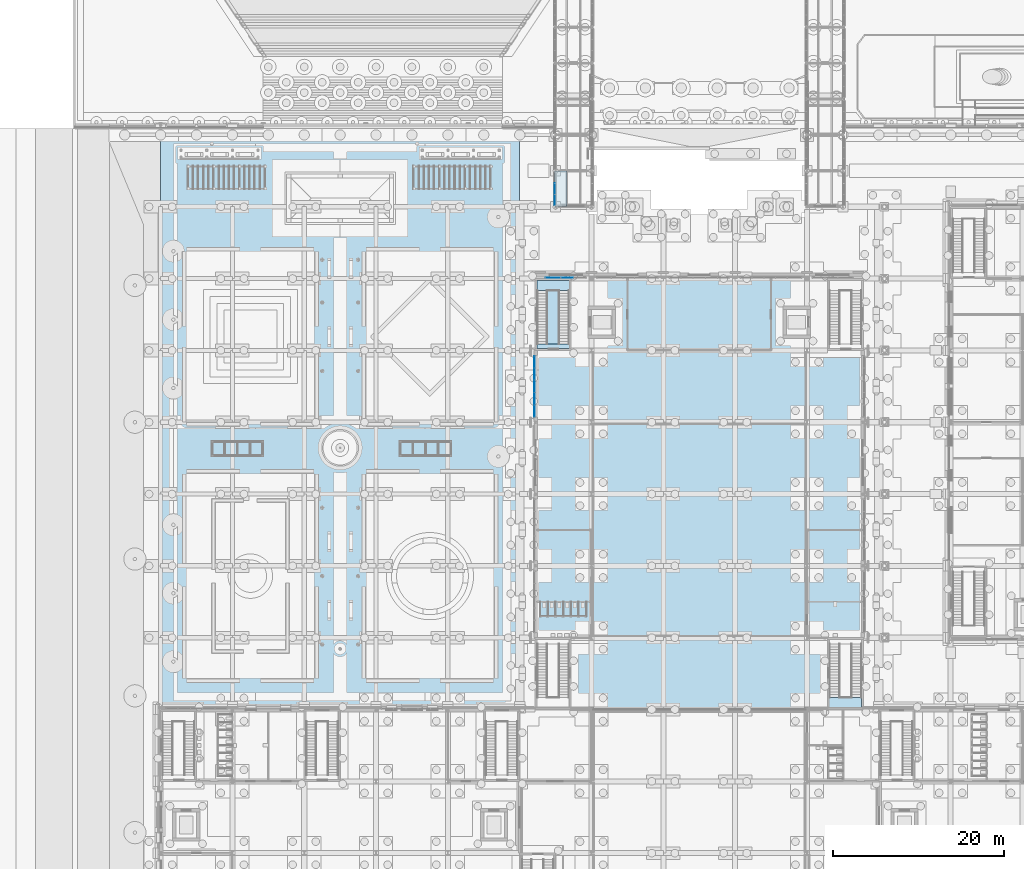
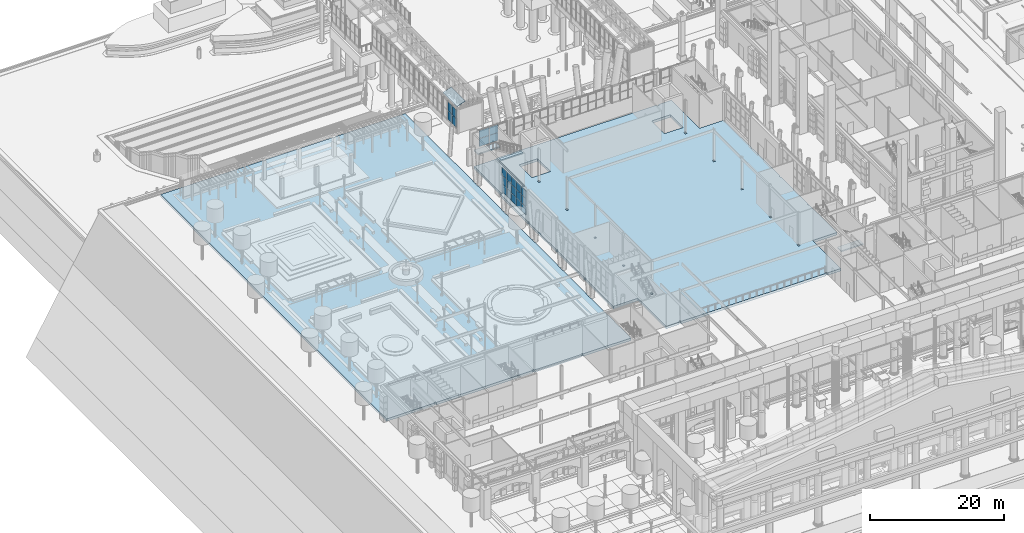
# One storey, part 78 of 222: 23 plates, 7 slabs, 6 elements without a shape of their own.
"""IFC4 building model written with IfcOpenShell, lengths in metres."""

from ifc_helpers import new_model, si_unit, direction, frame, origin, origin_2d, place, context, subcontext, project, spatial, polyline, rectangle, outline, extrude, material, layer, layer_set, type_object, element, aggregate, save


model = new_model("IFC4")

# Units and contexts
model_context = context("Model", 3, precision=1e-05, world=origin(), true_north=direction((0.0, 1.0)))
body_context = subcontext(model_context, "Body", "Model", "MODEL_VIEW")
ifc_project = project(units=[si_unit("LENGTHUNIT", "METRE"), si_unit("AREAUNIT", "SQUARE_METRE"), si_unit("VOLUMEUNIT", "CUBIC_METRE"), si_unit("PLANEANGLEUNIT", "RADIAN"), si_unit("MASSUNIT", "GRAM", prefix="KILO")], contexts=[model_context])

# Site, building, storey
site_placement = place(None, origin())
site = spatial("IfcSite", under=ifc_project, at=site_placement, CompositionType="ELEMENT")
building_placement = place(site_placement, origin())
building = spatial("IfcBuilding", under=site, at=building_placement, Name="Sava Quay Ferry Terminal", CompositionType="ELEMENT")
storey_placement = place(building_placement, origin())
storey = spatial("IfcBuildingStorey", under=building, at=storey_placement, Name="L00", CompositionType="ELEMENT", Elevation=0.0)

# Curtain wall, plates
ifc_material_1 = material(Name="Aluminium and glass curtain wall, double glazed", Category="aluminium")
curtain_wall_type_1 = type_object("IfcCurtainWallType", Name="Curtain wall CW-B gallery", PredefinedType="NOTDEFINED", material=ifc_material_1)
curtain_wall_1_placement = place(storey_placement, origin())
curtain_wall_1 = element("IfcCurtainWall", 1, at=curtain_wall_1_placement, inside=storey, type_object=curtain_wall_type_1, Name="Curtain wall B1-W L00 bay 1", PredefinedType="NOTDEFINED")
ifc_material_2 = material(Name="Laminated glass, double glazed unit", Category="glass")
ifc_layer_1 = layer(ifc_material_2, 0.02392578125)
ifc_layer_set_1 = layer_set([ifc_layer_1], Name="Laminated glass, double glazed unit")
plate_type_1 = type_object("IfcPlateType", Name="Glass panel 24 double", PredefinedType="CURTAIN_PANEL", material=ifc_layer_set_1)
plate_1_placement = place(storey_placement, frame((46.10009765625, 110.012451171875, 0.9501953125), z_axis=(0.0, 0.0, 1.0), x_axis=(0.0, 1.0, 0.0)))
plate_1 = element("IfcPlate", 2, at=plate_1_placement, type_object=plate_type_1, Name="CW13 panel 1.1", PredefinedType="CURTAIN_PANEL", context=body_context, shape_type="SweptSolid", body=[
    extrude(rectangle(XDim=1.22509765625, YDim=0.02392578125, at=origin_2d()), origin(), (0.0, 0.0, 1.0), 1.574951171875),
])
plate_2_placement = place(storey_placement, frame((46.10009765625, 110.012451171875, 2.5751953125), z_axis=(0.0, 0.0, 1.0), x_axis=(0.0, 1.0, 0.0)))
plate_2 = element("IfcPlate", 3, at=plate_2_placement, type_object=plate_type_1, Name="CW13 panel 1.2", PredefinedType="CURTAIN_PANEL", context=body_context, shape_type="SweptSolid", body=[
    extrude(rectangle(XDim=1.22509765625, YDim=0.02392578125, at=origin_2d()), origin(), (0.0, 0.0, 1.0), 1.574951171875),
])
plate_3_placement = place(storey_placement, frame((46.10009765625, 111.300048828125, 0.9501953125), z_axis=(0.0, 0.0, 1.0), x_axis=(0.0, 1.0, 0.0)))
plate_3 = element("IfcPlate", 4, at=plate_3_placement, type_object=plate_type_1, Name="CW13 panel 2.1", PredefinedType="CURTAIN_PANEL", context=body_context, shape_type="SweptSolid", body=[
    extrude(rectangle(XDim=1.25, YDim=0.02392578125, at=origin_2d()), origin(), (0.0, 0.0, 1.0), 1.574951171875),
])
plate_4_placement = place(storey_placement, frame((46.10009765625, 111.300048828125, 2.5751953125), z_axis=(0.0, 0.0, 1.0), x_axis=(0.0, 1.0, 0.0)))
plate_4 = element("IfcPlate", 5, at=plate_4_placement, type_object=plate_type_1, Name="CW13 panel 2.2", PredefinedType="CURTAIN_PANEL", context=body_context, shape_type="SweptSolid", body=[
    extrude(rectangle(XDim=1.25, YDim=0.02392578125, at=origin_2d()), origin(), (0.0, 0.0, 1.0), 1.574951171875),
])
aggregate(curtain_wall_1, [plate_1, plate_2, plate_3, plate_4])

ifc_material_3 = material(Name="Aluminium and glass curtain wall, double low-e glazed", Category="aluminium")
curtain_wall_type_2 = type_object("IfcCurtainWallType", Name="Curtain wall CW-G gable", PredefinedType="NOTDEFINED", material=ifc_material_3)
curtain_wall_2_placement = place(storey_placement, origin())
curtain_wall_2 = element("IfcCurtainWall", 6, at=curtain_wall_2_placement, inside=storey, type_object=curtain_wall_type_2, Name="Curtain wall D-N L00 bay 1", PredefinedType="NOTDEFINED")
ifc_material_4 = material(Name="Laminated glass, double low-e glazed unit", Category="glass")
ifc_layer_2 = layer(ifc_material_4, 0.028076171875)
ifc_layer_set_2 = layer_set([ifc_layer_2], Name="Laminated glass, double low-e glazed unit")
plate_type_2 = type_object("IfcPlateType", Name="Glass panel 28 double low-e", PredefinedType="CURTAIN_PANEL", material=ifc_layer_set_2)
plate_5_placement = place(storey_placement, frame((45.889892578125, 100.885009765625, 3.0498046875), z_axis=(0.0, 0.0, 1.0), x_axis=(1.0, 0.0, 0.0)))
plate_5 = element("IfcPlate", 7, at=plate_5_placement, type_object=plate_type_2, Name="CW54 panel 1.1", PredefinedType="CURTAIN_PANEL", context=body_context, shape_type="SweptSolid", body=[
    extrude(rectangle(XDim=1.659912109375, YDim=0.028076171875, at=origin_2d()), origin(), (0.0, 0.0, 1.0), 1.425048828125),
])
plate_6_placement = place(storey_placement, frame((45.889892578125, 100.885009765625, 4.52490234375), z_axis=(0.0, 0.0, 1.0), x_axis=(1.0, 0.0, 0.0)))
plate_6 = element("IfcPlate", 8, at=plate_6_placement, type_object=plate_type_2, Name="CW54 panel 1.2", PredefinedType="CURTAIN_PANEL", context=body_context, shape_type="SweptSolid", body=[
    extrude(rectangle(XDim=1.659912109375, YDim=0.028076171875, at=origin_2d()), origin(), (0.0, 0.0, 1.0), 1.425048828125),
])
aggregate(curtain_wall_2, [plate_5, plate_6])

curtain_wall_3_placement = place(storey_placement, origin())
curtain_wall_3 = element("IfcCurtainWall", 9, at=curtain_wall_3_placement, inside=storey, type_object=curtain_wall_type_2, Name="Curtain wall D-N L00 bay 11", PredefinedType="NOTDEFINED")
plate_7_placement = place(storey_placement, frame((47.550048828125, 100.885009765625, 3.0498046875), z_axis=(0.0, 0.0, 1.0), x_axis=(1.0, 0.0, 0.0)))
plate_7 = element("IfcPlate", 10, at=plate_7_placement, type_object=plate_type_2, Name="CW57 panel 1.1", PredefinedType="CURTAIN_PANEL", context=body_context, shape_type="SweptSolid", body=[
    extrude(rectangle(XDim=1.419921875, YDim=0.028076171875, at=origin_2d()), origin(), (0.0, 0.0, 1.0), 1.425048828125),
])
plate_8_placement = place(storey_placement, frame((47.550048828125, 100.885009765625, 4.52490234375), z_axis=(0.0, 0.0, 1.0), x_axis=(1.0, 0.0, 0.0)))
plate_8 = element("IfcPlate", 11, at=plate_8_placement, type_object=plate_type_2, Name="CW57 panel 1.2", PredefinedType="CURTAIN_PANEL", context=body_context, shape_type="SweptSolid", body=[
    extrude(rectangle(XDim=1.419921875, YDim=0.028076171875, at=origin_2d()), origin(), (0.0, 0.0, 1.0), 1.425048828125),
])
aggregate(curtain_wall_3, [plate_7, plate_8])

ifc_material_5 = material(Name="Aluminium and glass curtain wall, double low-e glazed", Category="aluminium")
curtain_wall_type_3 = type_object("IfcCurtainWallType", Name="Curtain wall CW-F flank", PredefinedType="NOTDEFINED", material=ifc_material_5)
curtain_wall_4_placement = place(storey_placement, origin())
curtain_wall_4 = element("IfcCurtainWall", 12, at=curtain_wall_4_placement, inside=storey, type_object=curtain_wall_type_3, Name="Curtain wall D-W L00 bay 5", PredefinedType="NOTDEFINED")
plate_9_placement = place(storey_placement, frame((43.72509765625, 85.3349609375, 0.9501953125), z_axis=(0.0, 0.0, 1.0), x_axis=(0.0, 1.0, 0.0)))
plate_9 = element("IfcPlate", 13, at=plate_9_placement, type_object=plate_type_2, Name="CW110 panel 1.1", PredefinedType="CURTAIN_PANEL", context=body_context, shape_type="SweptSolid", body=[
    extrude(rectangle(XDim=1.35009765625, YDim=0.028076171875, at=origin_2d()), origin(), (0.0, 0.0, 1.0), 1.425048828125),
])
plate_10_placement = place(storey_placement, frame((43.72509765625, 85.3349609375, 2.4248046875), z_axis=(0.0, 0.0, 1.0), x_axis=(0.0, 1.0, 0.0)))
plate_10 = element("IfcPlate", 14, at=plate_10_placement, type_object=plate_type_2, Name="CW110 panel 1.2", PredefinedType="CURTAIN_PANEL", context=body_context, shape_type="SweptSolid", body=[
    extrude(rectangle(XDim=1.35009765625, YDim=0.028076171875, at=origin_2d()), origin(), (0.0, 0.0, 1.0), 1.449951171875),
])
plate_11_placement = place(storey_placement, frame((43.72509765625, 85.3349609375, 3.9248046875), z_axis=(0.0, 0.0, 1.0), x_axis=(0.0, 1.0, 0.0)))
plate_11 = element("IfcPlate", 15, at=plate_11_placement, type_object=plate_type_2, Name="CW110 panel 1.3", PredefinedType="CURTAIN_PANEL", context=body_context, shape_type="SweptSolid", body=[
    extrude(rectangle(XDim=1.35009765625, YDim=0.028076171875, at=origin_2d()), origin(), (0.0, 0.0, 1.0), 1.425048828125),
])
plate_12_placement = place(storey_placement, frame((43.72509765625, 86.760009765625, 0.9501953125), z_axis=(0.0, 0.0, 1.0), x_axis=(0.0, 1.0, 0.0)))
plate_12 = element("IfcPlate", 16, at=plate_12_placement, type_object=plate_type_2, Name="CW110 panel 2.1", PredefinedType="CURTAIN_PANEL", context=body_context, shape_type="SweptSolid", body=[
    extrude(rectangle(XDim=1.3798828125, YDim=0.028076171875, at=origin_2d()), origin(), (0.0, 0.0, 1.0), 1.425048828125),
])
plate_13_placement = place(storey_placement, frame((43.72509765625, 86.760009765625, 2.4248046875), z_axis=(0.0, 0.0, 1.0), x_axis=(0.0, 1.0, 0.0)))
plate_13 = element("IfcPlate", 17, at=plate_13_placement, type_object=plate_type_2, Name="CW110 panel 2.2", PredefinedType="CURTAIN_PANEL", context=body_context, shape_type="SweptSolid", body=[
    extrude(rectangle(XDim=1.3798828125, YDim=0.028076171875, at=origin_2d()), origin(), (0.0, 0.0, 1.0), 1.449951171875),
])
plate_14_placement = place(storey_placement, frame((43.72509765625, 86.760009765625, 3.9248046875), z_axis=(0.0, 0.0, 1.0), x_axis=(0.0, 1.0, 0.0)))
plate_14 = element("IfcPlate", 18, at=plate_14_placement, type_object=plate_type_2, Name="CW110 panel 2.3", PredefinedType="CURTAIN_PANEL", context=body_context, shape_type="SweptSolid", body=[
    extrude(rectangle(XDim=1.3798828125, YDim=0.028076171875, at=origin_2d()), origin(), (0.0, 0.0, 1.0), 1.425048828125),
])
plate_15_placement = place(storey_placement, frame((43.72509765625, 88.199951171875, 0.9501953125), z_axis=(0.0, 0.0, 1.0), x_axis=(0.0, 1.0, 0.0)))
plate_15 = element("IfcPlate", 19, at=plate_15_placement, type_object=plate_type_2, Name="CW110 panel 3.1", PredefinedType="CURTAIN_PANEL", context=body_context, shape_type="SweptSolid", body=[
    extrude(rectangle(XDim=1.3798828125, YDim=0.028076171875, at=origin_2d()), origin(), (0.0, 0.0, 1.0), 1.425048828125),
])
plate_16_placement = place(storey_placement, frame((43.72509765625, 88.199951171875, 2.4248046875), z_axis=(0.0, 0.0, 1.0), x_axis=(0.0, 1.0, 0.0)))
plate_16 = element("IfcPlate", 20, at=plate_16_placement, type_object=plate_type_2, Name="CW110 panel 3.2", PredefinedType="CURTAIN_PANEL", context=body_context, shape_type="SweptSolid", body=[
    extrude(rectangle(XDim=1.3798828125, YDim=0.028076171875, at=origin_2d()), origin(), (0.0, 0.0, 1.0), 1.449951171875),
])
plate_17_placement = place(storey_placement, frame((43.72509765625, 88.199951171875, 3.9248046875), z_axis=(0.0, 0.0, 1.0), x_axis=(0.0, 1.0, 0.0)))
plate_17 = element("IfcPlate", 21, at=plate_17_placement, type_object=plate_type_2, Name="CW110 panel 3.3", PredefinedType="CURTAIN_PANEL", context=body_context, shape_type="SweptSolid", body=[
    extrude(rectangle(XDim=1.3798828125, YDim=0.028076171875, at=origin_2d()), origin(), (0.0, 0.0, 1.0), 1.425048828125),
])
plate_18_placement = place(storey_placement, frame((43.72509765625, 89.639892578125, 0.9501953125), z_axis=(0.0, 0.0, 1.0), x_axis=(0.0, 1.0, 0.0)))
plate_18 = element("IfcPlate", 22, at=plate_18_placement, type_object=plate_type_2, Name="CW110 panel 4.1", PredefinedType="CURTAIN_PANEL", context=body_context, shape_type="SweptSolid", body=[
    extrude(rectangle(XDim=1.3798828125, YDim=0.028076171875, at=origin_2d()), origin(), (0.0, 0.0, 1.0), 1.425048828125),
])
plate_19_placement = place(storey_placement, frame((43.72509765625, 89.639892578125, 2.4248046875), z_axis=(0.0, 0.0, 1.0), x_axis=(0.0, 1.0, 0.0)))
plate_19 = element("IfcPlate", 23, at=plate_19_placement, type_object=plate_type_2, Name="CW110 panel 4.2", PredefinedType="CURTAIN_PANEL", context=body_context, shape_type="SweptSolid", body=[
    extrude(rectangle(XDim=1.3798828125, YDim=0.028076171875, at=origin_2d()), origin(), (0.0, 0.0, 1.0), 1.449951171875),
])
plate_20_placement = place(storey_placement, frame((43.72509765625, 89.639892578125, 3.9248046875), z_axis=(0.0, 0.0, 1.0), x_axis=(0.0, 1.0, 0.0)))
plate_20 = element("IfcPlate", 24, at=plate_20_placement, type_object=plate_type_2, Name="CW110 panel 4.3", PredefinedType="CURTAIN_PANEL", context=body_context, shape_type="SweptSolid", body=[
    extrude(rectangle(XDim=1.3798828125, YDim=0.028076171875, at=origin_2d()), origin(), (0.0, 0.0, 1.0), 1.425048828125),
])
plate_21_placement = place(storey_placement, frame((43.72509765625, 91.06494140625, 0.9501953125), z_axis=(0.0, 0.0, 1.0), x_axis=(0.0, 1.0, 0.0)))
plate_21 = element("IfcPlate", 25, at=plate_21_placement, type_object=plate_type_2, Name="CW110 panel 5.1", PredefinedType="CURTAIN_PANEL", context=body_context, shape_type="SweptSolid", body=[
    extrude(rectangle(XDim=1.35009765625, YDim=0.028076171875, at=origin_2d()), origin(), (0.0, 0.0, 1.0), 1.425048828125),
])
plate_22_placement = place(storey_placement, frame((43.72509765625, 91.06494140625, 2.4248046875), z_axis=(0.0, 0.0, 1.0), x_axis=(0.0, 1.0, 0.0)))
plate_22 = element("IfcPlate", 26, at=plate_22_placement, type_object=plate_type_2, Name="CW110 panel 5.2", PredefinedType="CURTAIN_PANEL", context=body_context, shape_type="SweptSolid", body=[
    extrude(rectangle(XDim=1.35009765625, YDim=0.028076171875, at=origin_2d()), origin(), (0.0, 0.0, 1.0), 1.449951171875),
])
plate_23_placement = place(storey_placement, frame((43.72509765625, 91.06494140625, 3.9248046875), z_axis=(0.0, 0.0, 1.0), x_axis=(0.0, 1.0, 0.0)))
plate_23 = element("IfcPlate", 27, at=plate_23_placement, type_object=plate_type_2, Name="CW110 panel 5.3", PredefinedType="CURTAIN_PANEL", context=body_context, shape_type="SweptSolid", body=[
    extrude(rectangle(XDim=1.35009765625, YDim=0.028076171875, at=origin_2d()), origin(), (0.0, 0.0, 1.0), 1.425048828125),
])
aggregate(curtain_wall_4, [plate_9, plate_10, plate_11, plate_12, plate_13, plate_14, plate_15, plate_16, plate_17, plate_18, plate_19, plate_20, plate_21, plate_22, plate_23])

# Slabs
ifc_material_6 = material(Name="Concrete C40/50", Category="concrete")
ifc_layer_3 = layer(ifc_material_6, 0.449951171875)
ifc_layer_set_3 = layer_set([ifc_layer_3], Name="Concrete C40/50")
slab_type_1 = type_object("IfcSlabType", Name="RC deck slab 450", PredefinedType="FLOOR", material=ifc_layer_set_3)
slab_1_placement = place(storey_placement, frame((0.0, 0.0, -0.449951171875)))
element("IfcSlab", 28, at=slab_1_placement, inside=storey, type_object=slab_type_1, Name="D floor slab L00", PredefinedType="FLOOR", context=body_context, shape_type="SweptSolid", body=[
    extrude(outline(polyline([(82.199951171875, 58.800048828125), (78.0, 58.800048828125), (78.0, 50.39990234375), (75.760009765625, 50.39990234375), (75.760009765625, 50.610107421875), (75.43994140625, 50.610107421875), (75.43994140625, 50.39990234375), (50.56005859375, 50.39990234375), (50.56005859375, 50.610107421875), (50.239990234375, 50.610107421875), (50.239990234375, 50.39990234375), (48.0, 50.39990234375), (48.0, 58.800048828125), (43.800048828125, 58.800048828125), (43.800048828125, 67.070068359375), (43.929931640625, 67.070068359375), (43.929931640625, 67.330078125), (43.800048828125, 67.330078125), (43.800048828125, 75.469970703125), (43.929931640625, 75.469970703125), (43.929931640625, 75.72998046875), (43.800048828125, 75.72998046875), (43.800048828125, 83.8701171875), (43.929931640625, 83.8701171875), (43.929931640625, 84.1298828125), (43.800048828125, 84.1298828125), (43.800048828125, 92.39990234375), (48.0, 92.39990234375), (48.0, 100.800048828125), (50.239990234375, 100.800048828125), (50.239990234375, 100.590087890625), (50.56005859375, 100.590087890625), (50.56005859375, 100.800048828125), (75.43994140625, 100.800048828125), (75.43994140625, 100.590087890625), (75.760009765625, 100.590087890625), (75.760009765625, 100.800048828125), (78.0, 100.800048828125), (78.0, 92.39990234375), (82.199951171875, 92.39990234375), (82.199951171875, 84.1298828125), (82.070068359375, 84.1298828125), (82.070068359375, 83.8701171875), (82.199951171875, 83.8701171875), (82.199951171875, 75.72998046875), (82.070068359375, 75.72998046875), (82.070068359375, 75.469970703125), (82.199951171875, 75.469970703125), (82.199951171875, 67.330078125), (82.070068359375, 67.330078125), (82.070068359375, 67.070068359375), (82.199951171875, 67.070068359375), (82.199951171875, 58.800048828125)]), holes=[polyline([(50.56005859375, 59.010009765625), (50.239990234375, 59.010009765625), (50.239990234375, 58.590087890625), (50.56005859375, 58.590087890625), (50.56005859375, 59.010009765625)]), polyline([(50.56005859375, 67.35498046875), (50.239990234375, 67.35498046875), (50.239990234375, 67.044921875), (50.56005859375, 67.044921875), (50.56005859375, 67.35498046875)]), polyline([(50.56005859375, 75.7548828125), (50.239990234375, 75.7548828125), (50.239990234375, 75.445068359375), (50.56005859375, 75.445068359375), (50.56005859375, 75.7548828125)]), polyline([(75.760009765625, 75.7548828125), (75.43994140625, 75.7548828125), (75.43994140625, 75.445068359375), (75.760009765625, 75.445068359375), (75.760009765625, 75.7548828125)]), polyline([(50.56005859375, 84.2099609375), (50.239990234375, 84.2099609375), (50.239990234375, 83.7900390625), (50.56005859375, 83.7900390625), (50.56005859375, 84.2099609375)]), polyline([(75.760009765625, 92.610107421875), (75.43994140625, 92.610107421875), (75.43994140625, 92.18994140625), (75.760009765625, 92.18994140625), (75.760009765625, 92.610107421875)]), polyline([(50.239990234375, 92.610107421875), (50.239990234375, 92.18994140625), (50.56005859375, 92.18994140625), (50.56005859375, 92.610107421875), (50.239990234375, 92.610107421875)]), polyline([(53.199951171875, 97.60009765625), (50.0, 97.60009765625), (50.0, 93.800048828125), (53.199951171875, 93.800048828125), (53.199951171875, 97.60009765625)]), polyline([(76.0, 97.60009765625), (72.800048828125, 97.60009765625), (72.800048828125, 93.800048828125), (76.0, 93.800048828125), (76.0, 97.60009765625)]), polyline([(75.760009765625, 59.010009765625), (75.43994140625, 59.010009765625), (75.43994140625, 58.590087890625), (75.760009765625, 58.590087890625), (75.760009765625, 59.010009765625)]), polyline([(75.760009765625, 67.35498046875), (75.43994140625, 67.35498046875), (75.43994140625, 67.044921875), (75.760009765625, 67.044921875), (75.760009765625, 67.35498046875)]), polyline([(75.43994140625, 84.2099609375), (75.43994140625, 83.7900390625), (75.760009765625, 83.7900390625), (75.760009765625, 84.2099609375), (75.43994140625, 84.2099609375)])]), origin(), (0.0, 0.0, 1.0), 0.449951171875),
])
slab_2_placement = place(storey_placement, frame((0.0, 0.0, -0.449951171875)))
element("IfcSlab", 29, at=slab_2_placement, inside=storey, type_object=slab_type_1, Name="Quay deck slab", PredefinedType="FLOOR", context=body_context, shape_type="SweptSolid", body=[
    extrude(outline(polyline([(41.949951171875, 50.75), (41.949951171875, 50.39990234375), (37.800048828125, 50.39990234375), (33.760009765625, 50.39990234375), (33.760009765625, 50.570068359375), (33.43994140625, 50.570068359375), (33.43994140625, 50.39990234375), (25.360107421875, 50.39990234375), (25.360107421875, 50.570068359375), (25.0400390625, 50.570068359375), (25.0400390625, 50.39990234375), (21.0, 50.39990234375), (16.800048828125, 50.39990234375), (8.56005859375, 50.39990234375), (8.56005859375, 50.570068359375), (8.239990234375, 50.570068359375), (8.239990234375, 50.39990234375), (4.199951171875, 50.39990234375), (0.0, 50.39990234375), (0.0, 117.60009765625), (42.0, 117.60009765625), (42.0, 105.35009765625), (41.949951171875, 105.35009765625), (41.949951171875, 104.64990234375), (42.0, 104.64990234375), (42.0, 97.35009765625), (41.949951171875, 97.35009765625), (41.949951171875, 96.64990234375), (42.0, 96.64990234375), (42.0, 96.550048828125), (41.949951171875, 96.550048828125), (41.949951171875, 95.85009765625), (42.0, 95.85009765625), (42.0, 88.949951171875), (41.949951171875, 88.949951171875), (41.949951171875, 88.25), (42.0, 88.25), (42.0, 88.14990234375), (41.949951171875, 88.14990234375), (41.949951171875, 87.449951171875), (42.0, 87.449951171875), (42.0, 80.550048828125), (41.949951171875, 80.550048828125), (41.949951171875, 79.85009765625), (42.0, 79.85009765625), (42.0, 79.75), (41.949951171875, 79.75), (41.949951171875, 79.050048828125), (42.0, 79.050048828125), (42.0, 72.14990234375), (41.949951171875, 72.14990234375), (41.949951171875, 71.449951171875), (42.0, 71.449951171875), (42.0, 71.35009765625), (41.949951171875, 71.35009765625), (41.949951171875, 70.64990234375), (42.0, 70.64990234375), (42.0, 63.75), (41.949951171875, 63.75), (41.949951171875, 63.050048828125), (42.0, 63.050048828125), (42.0, 62.949951171875), (41.949951171875, 62.949951171875), (41.949951171875, 62.25), (42.0, 62.25), (42.0, 55.35009765625), (41.949951171875, 55.35009765625), (41.949951171875, 54.64990234375), (42.0, 54.64990234375), (42.0, 54.550048828125), (41.949951171875, 54.550048828125), (41.949951171875, 53.85009765625), (42.0, 53.85009765625), (42.0, 50.75), (41.949951171875, 50.75)])), origin(), (0.0, 0.0, 1.0), 0.449951171875),
])
slab_3_placement = place(storey_placement, frame((0.0, 0.0, -0.449951171875)))
element("IfcSlab", 30, at=slab_3_placement, inside=storey, type_object=slab_type_1, Name="Stair floor ST-D5", PredefinedType="FLOOR", context=body_context, shape_type="SweptSolid", body=[
    extrude(outline(polyline([(44.0, 92.60009765625), (47.800048828125, 92.60009765625), (47.800048828125, 100.60009765625), (44.0, 100.60009765625), (44.0, 92.60009765625)])), origin(), (0.0, 0.0, 1.0), 0.449951171875),
])
ifc_material_7 = material(Name="Cross laminated timber C24", Category="wood")
ifc_layer_4 = layer(ifc_material_7, 0.10009765625)
ifc_layer_set_4 = layer_set([ifc_layer_4], Name="Cross laminated timber C24")
slab_type_2 = type_object("IfcSlabType", Name="Roof deck CLT 100", PredefinedType="ROOF", material=ifc_layer_set_4)
slab_4_placement = place(storey_placement, frame((46.0498046875, 109.2099609375, 4.942138671875), z_axis=(-0.342065251979, 0.0, 0.939676201353), x_axis=(0.939676201353, 0.0, 0.342065251979)))
element("IfcSlab", 31, at=slab_4_placement, inside=storey, type_object=slab_type_2, Name="Boarding gallery B1 roof deck bay 1 facet 1", PredefinedType="ROOF", context=body_context, shape_type="SweptSolid", body=[
    extrude(outline(polyline([(0.0, 0.0), (1.5209486168666146, 0.0), (1.5209486168666146, 4.179931640625), (0.0, 4.179931640625), (0.0, 0.0)])), origin(), (0.0, 0.0, -1.0), 0.10009765625),
])

# Stair, slab
ifc_material_8 = material(Name="Concrete C30/37", Category="concrete")
stair_type = type_object("IfcStairType", Name="Stair 1200 half landing", PredefinedType="HALF_TURN_STAIR", material=ifc_material_8)
stair_1_placement = place(storey_placement, origin())
stair_1 = element("IfcStair", 32, at=stair_1_placement, inside=storey, type_object=stair_type, Name="Stair ST-D5 L00", PredefinedType="HALF_TURN_STAIR")
ifc_material_9 = material(Name="Concrete C30/37", Category="concrete")
ifc_layer_5 = layer(ifc_material_9, 0.199951171875)
ifc_layer_set_5 = layer_set([ifc_layer_5], Name="Concrete C30/37")
slab_type_3 = type_object("IfcSlabType", Name="Stair head floor 200", PredefinedType="FLOOR", material=ifc_layer_set_5)
slab_5_placement = place(storey_placement, frame((0.0, 0.0, 5.800048828125)))
slab_5 = element("IfcSlab", 33, at=slab_5_placement, type_object=slab_type_3, Name="ST-D5 head floor L01", PredefinedType="FLOOR", context=body_context, shape_type="SweptSolid", body=[
    extrude(outline(polyline([(44.0, 92.60009765625), (44.0, 93.1298828125), (47.800048828125, 93.1298828125), (47.800048828125, 92.60009765625), (44.0, 92.60009765625)])), origin(), (0.0, 0.0, 1.0), 0.199951171875),
])

stair_2_placement = place(storey_placement, origin())
stair_2 = element("IfcStair", 34, at=stair_2_placement, inside=storey, type_object=stair_type, Name="Stair ST-D2 L00", PredefinedType="HALF_TURN_STAIR")
ifc_material_10 = material(Name="Concrete C30/37", Category="concrete")
ifc_layer_6 = layer(ifc_material_10, 0.199951171875)
ifc_layer_set_6 = layer_set([ifc_layer_6], Name="Concrete C30/37")
slab_type_4 = type_object("IfcSlabType", Name="Stair landing 200", PredefinedType="LANDING", material=ifc_layer_set_6)
slab_6_placement = place(storey_placement, frame((0.0, 0.0, 2.800048828125)))
slab_6 = element("IfcSlab", 35, at=slab_6_placement, type_object=slab_type_4, Name="ST-D2 landing 1", PredefinedType="LANDING", context=body_context, shape_type="SweptSolid", body=[
    extrude(outline(polyline([(78.199951171875, 50.60009765625), (78.199951171875, 51.800048828125), (82.0, 51.800048828125), (82.0, 50.60009765625), (78.199951171875, 50.60009765625)])), origin(), (0.0, 0.0, 1.0), 0.199951171875),
])
aggregate(stair_2, [slab_6])

# Slab
slab_7_placement = place(storey_placement, frame((0.0, 0.0, 2.800048828125)))
slab_7 = element("IfcSlab", 36, at=slab_7_placement, type_object=slab_type_4, Name="ST-D5 landing 1", PredefinedType="LANDING", context=body_context, shape_type="SweptSolid", body=[
    extrude(outline(polyline([(44.0, 99.39990234375), (44.0, 100.60009765625), (47.800048828125, 100.60009765625), (47.800048828125, 99.39990234375), (44.0, 99.39990234375)])), origin(), (0.0, 0.0, 1.0), 0.199951171875),
])

aggregate(stair_1, [slab_7, slab_5])

save(model, "model.ifc")
